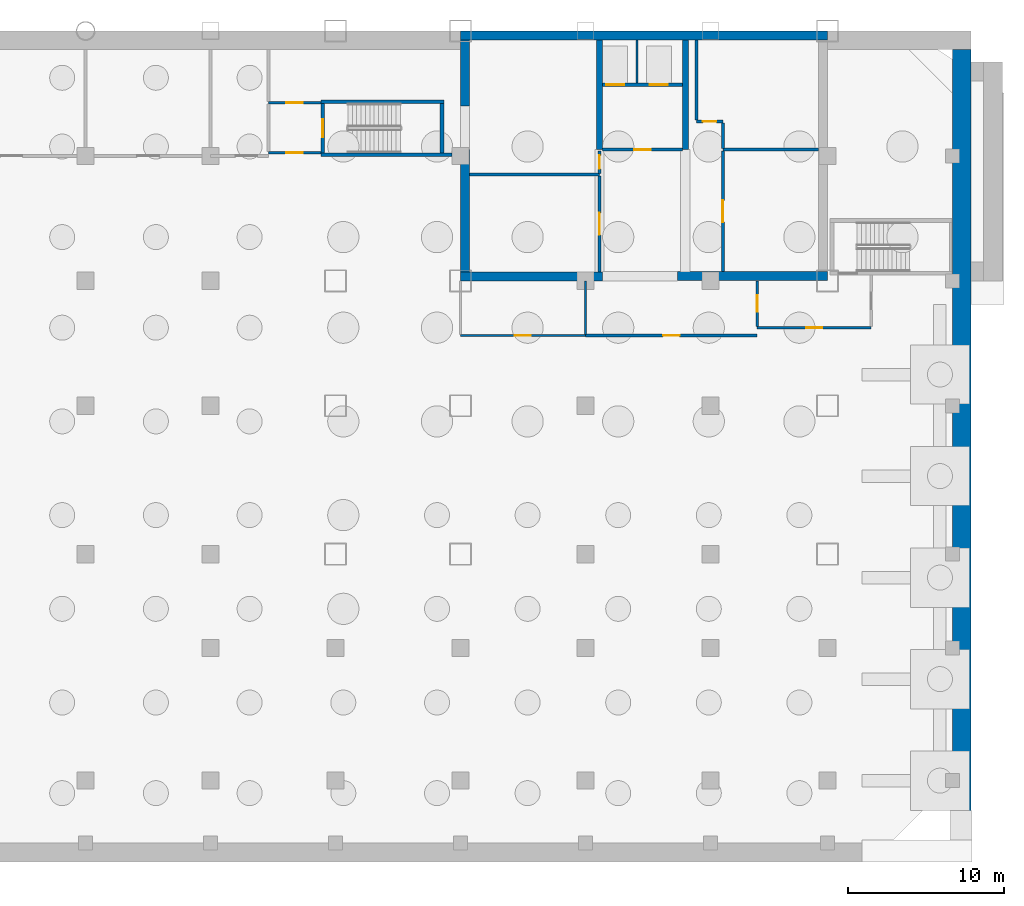
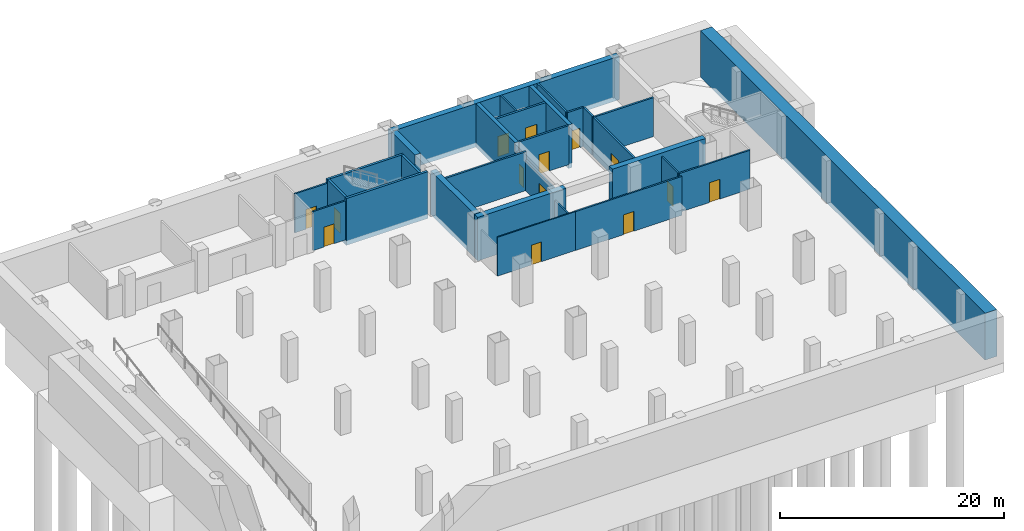
# One storey, part 3 of 8: 30 walls, 14 doors, 14 openings.
"""IFC4 building model written with IfcOpenShell, lengths in metres."""

from ifc_helpers import new_model, si_unit, direction, frame, frame_2d, origin, place, context, subcontext, project, spatial, rectangle, extrude, material, layer, layer_set, type_object, element, fill, save


model = new_model("IFC4")

# Units and contexts
model_context = context("Model", 3, precision=1e-05, world=origin(), true_north=direction((0.0, 1.0)))
body_context = subcontext(model_context, "Body", "Model", "MODEL_VIEW")
ifc_project = project(units=[si_unit("LENGTHUNIT", "METRE"), si_unit("AREAUNIT", "SQUARE_METRE"), si_unit("VOLUMEUNIT", "CUBIC_METRE"), si_unit("PLANEANGLEUNIT", "RADIAN"), si_unit("MASSUNIT", "GRAM", prefix="KILO")], contexts=[model_context])

# Site, building, storey
site_placement = place(None, origin())
site = spatial("IfcSite", under=ifc_project, at=site_placement, CompositionType="ELEMENT")
building_placement = place(site_placement, origin())
building = spatial("IfcBuilding", under=site, at=building_placement, Name="Qianrong Seaharbour Tower", CompositionType="ELEMENT")
storey_placement = place(building_placement, frame((0.0, 0.0, -13.800048828125)))
storey = spatial("IfcBuildingStorey", under=building, at=storey_placement, Name="B03", CompositionType="ELEMENT", Elevation=-13.800048828125)

# Walls
ifc_material_1 = material(Name="Concrete C70/85", Category="concrete")
ifc_layer_1 = layer(ifc_material_1, 0.580078125)
ifc_layer_set_1 = layer_set([ifc_layer_1], Name="Concrete C70/85")
wall_type_1 = type_object("IfcWallType", Name="WALL-CORE-580", PredefinedType="SHEAR", material=ifc_layer_set_1)
wall_1_placement = place(storey_placement, frame((40.5, 51.7099609375, -0.5), z_axis=(0.0, 0.0, 1.0), x_axis=(1.0, 0.0, 0.0)))
element("IfcWall", 1, at=wall_1_placement, inside=storey, type_object=wall_type_1, Name="B03 North Core Shear Wall", PredefinedType="SHEAR", context=body_context, shape_type="SweptSolid", body=[
    extrude(rectangle(XDim=23.5, YDim=0.580078125, at=frame_2d((11.75, 0.0))), origin(), (0.0, 0.0, 1.0), 4.739990234375),
])
wall_2_placement = place(storey_placement, frame((40.7900390625, 36.580078125, -0.5), z_axis=(0.0, 0.0, 1.0), x_axis=(0.0, 1.0, 0.0)))
element("IfcWall", 2, at=wall_2_placement, inside=storey, type_object=wall_type_1, Name="B03 West Core Shear Wall South", PredefinedType="SHEAR", context=body_context, shape_type="SweptSolid", body=[
    extrude(rectangle(XDim=7.81982421875, YDim=0.580078125, at=frame_2d((3.909912109375, 0.0))), origin(), (0.0, 0.0, 1.0), 4.739990234375),
])
wall_3_placement = place(storey_placement, frame((40.7900390625, 47.199951171875, -0.5), z_axis=(0.0, 0.0, 1.0), x_axis=(0.0, 1.0, 0.0)))
element("IfcWall", 3, at=wall_3_placement, inside=storey, type_object=wall_type_1, Name="B03 West Core Shear Wall North", PredefinedType="SHEAR", context=body_context, shape_type="SweptSolid", body=[
    extrude(rectangle(XDim=4.219970703125, YDim=0.580078125, at=frame_2d((2.10986328125, 0.0))), origin(), (0.0, 0.0, 1.0), 4.739990234375),
])
wall_4_placement = place(storey_placement, frame((40.5, 36.2900390625, -0.5), z_axis=(0.0, 0.0, 1.0), x_axis=(1.0, 0.0, 0.0)))
element("IfcWall", 4, at=wall_4_placement, inside=storey, type_object=wall_type_1, Name="B03 South Core Shear Wall S1", PredefinedType="SHEAR", context=body_context, shape_type="SweptSolid", body=[
    extrude(rectangle(XDim=9.10009765625, YDim=0.580078125, at=frame_2d((4.550048828125, 0.0))), origin(), (0.0, 0.0, 1.0), 4.739990234375),
])
wall_5_placement = place(storey_placement, frame((54.39990234375, 36.320068359375, -0.5), z_axis=(0.0, 0.0, 1.0), x_axis=(1.0, 0.0, 0.0)))
element("IfcWall", 5, at=wall_5_placement, inside=storey, type_object=wall_type_1, Name="B03 South Core Shear Wall S3", PredefinedType="SHEAR", context=body_context, shape_type="SweptSolid", body=[
    extrude(rectangle(XDim=9.60009765625, YDim=0.580078125, at=frame_2d((4.800048828125, 0.0))), origin(), (0.0, 0.0, 1.0), 5.10009765625),
])
ifc_material_2 = material(Name="Concrete C60/75", Category="concrete")
ifc_layer_2 = layer(ifc_material_2, 0.3798828125)
ifc_layer_set_2 = layer_set([ifc_layer_2], Name="Concrete C60/75")
wall_type_2 = type_object("IfcWallType", Name="WALL-CORE-INT-380", PredefinedType="SHEAR", material=ifc_layer_set_2)
for number, where, z_axis, x_axis, name in (
    (6, (49.39990234375, 44.39990234375, -0.5), (0.0, 0.0, 1.0), (0.0, 1.0, 0.0), "B03 Internal Core Shear Wall IW1N"),
    (7, (54.89990234375, 44.39990234375, -0.5), (0.0, 0.0, 1.0), (0.0, 1.0, 0.0), "B03 Internal Core Shear Wall IW2N"),
):
    element("IfcWall", number, at=place(storey_placement, frame(where, z_axis=z_axis, x_axis=x_axis)), inside=storey, type_object=wall_type_2, Name=name, PredefinedType="SHEAR", context=body_context, shape_type="SweptSolid", body=[
        extrude(rectangle(XDim=7.02001953125, YDim=0.3798828125, at=frame_2d((3.510009765625, 0.0))), origin(), (0.0, 0.0, 1.0), 4.739990234375),
    ])

# Wall, opening, door
ifc_material_3 = material(Name="Fire-rated acoustic gypsum board partition")
ifc_layer_3 = layer(ifc_material_3, 0.1650390625)
ifc_layer_set_3 = layer_set([ifc_layer_3], Name="Fire-rated acoustic gypsum board partition")
wall_type_3 = type_object("IfcWallType", Name="WALL-CORR-PART-165", PredefinedType="PARTITIONING", material=ifc_layer_set_3)
wall_6_placement = place(storey_placement, frame((31.56005859375, 44.199951171875, 0.0), z_axis=(0.0, 0.0, 1.0), x_axis=(-1.0, 0.0, 0.0)))
wall_6 = element("IfcWall", 8, at=wall_6_placement, inside=storey, type_object=wall_type_3, Name="B03 Interior Partition Wall 011", PredefinedType="PARTITIONING", context=body_context, shape_type="SweptSolid", body=[
    extrude(rectangle(XDim=3.360107421875, YDim=0.1650390625, at=frame_2d((1.68017578125, 0.0))), origin(), (0.0, 0.0, 1.0), 4.239990234375),
])
opening_1_placement = place(wall_6_placement, frame((1.155029296875, 0.0, 0.0)))
opening_1 = element("IfcOpeningElement", 9, at=opening_1_placement, cuts=wall_6, Name="Opening DC-01", PredefinedType="OPENING", context=body_context, shape_type="SweptSolid", body=[
    extrude(rectangle(XDim=1.050048828125, YDim=2.14990234375, at=frame_2d((0.52490234375, 1.074951171875))), frame((0.0, 0.092529296875, 0.0), z_axis=(0.0, -1.0, 0.0), x_axis=(1.0, 0.0, 0.0)), (0.0, 0.0, 1.0), 0.18505859375),
])
ifc_material_4 = material(Name="Acoustic timber and galvanized steel fire door assembly", Category="steel")
door_type_1 = type_object("IfcDoorType", Name="DOOR-CORR-FD60-1050x2150", OperationType="NOTDEFINED", PredefinedType="DOOR", material=ifc_material_4)
door_1_placement = place(opening_1_placement, origin())
door_1 = element("IfcDoor", 10, at=door_1_placement, inside=storey, type_object=door_type_1, Name="B03 Basement Stair Vestibule BST-1 Door", OperationType="SINGLE_SWING_RIGHT", OverallHeight=2.14990234375, OverallWidth=1.050048828125, PredefinedType="DOOR", context=body_context, shape_type="SweptSolid", body=[
    extrude(rectangle(XDim=1.050048828125, YDim=2.14990234375, at=frame_2d((0.52490234375, 1.074951171875))), frame((0.0, 0.02490234375, 0.0), z_axis=(0.0, -1.0, 0.0), x_axis=(1.0, 0.0, 0.0)), (0.0, 0.0, 1.0), 0.050048828125),
])
fill(opening_1, door_1)

wall_7_placement = place(storey_placement, frame((28.199951171875, 47.39990234375, 0.0), z_axis=(0.0, 0.0, 1.0), x_axis=(1.0, 0.0, 0.0)))
wall_7 = element("IfcWall", 11, at=wall_7_placement, inside=storey, type_object=wall_type_3, Name="B03 Interior Partition Wall 012", PredefinedType="PARTITIONING", context=body_context, shape_type="SweptSolid", body=[
    extrude(rectangle(XDim=3.360107421875, YDim=0.1650390625, at=frame_2d((1.68017578125, 0.0))), origin(), (0.0, 0.0, 1.0), 4.239990234375),
])
opening_2_placement = place(wall_7_placement, frame((1.155029296875, 0.0, 0.0)))
opening_2 = element("IfcOpeningElement", 12, at=opening_2_placement, cuts=wall_7, Name="Opening DC-01", PredefinedType="OPENING", context=body_context, shape_type="SweptSolid", body=[
    extrude(rectangle(XDim=1.050048828125, YDim=2.14990234375, at=frame_2d((0.52490234375, 1.074951171875))), frame((0.0, 0.092529296875, 0.0), z_axis=(0.0, -1.0, 0.0), x_axis=(1.0, 0.0, 0.0)), (0.0, 0.0, 1.0), 0.18505859375),
])
door_2_placement = place(opening_2_placement, origin())
door_2 = element("IfcDoor", 13, at=door_2_placement, inside=storey, type_object=door_type_1, Name="B03 Basement Stair Vestibule BST-1 Door", OperationType="SINGLE_SWING_LEFT", OverallHeight=2.14990234375, OverallWidth=1.050048828125, PredefinedType="DOOR", context=body_context, shape_type="SweptSolid", body=[
    extrude(rectangle(XDim=1.050048828125, YDim=2.14990234375, at=frame_2d((0.52490234375, 1.074951171875))), frame((0.0, 0.02490234375, 0.0), z_axis=(0.0, -1.0, 0.0), x_axis=(1.0, 0.0, 0.0)), (0.0, 0.0, 1.0), 0.050048828125),
])
fill(opening_2, door_2)

wall_8_placement = place(storey_placement, frame((59.5, 33.074462890625, 0.0), z_axis=(0.0, 0.0, 1.0), x_axis=(0.0, 1.0, 0.0)))
wall_8 = element("IfcWall", 14, at=wall_8_placement, inside=storey, type_object=wall_type_3, Name="B03 Interior Partition Wall 013", PredefinedType="PARTITIONING", context=body_context, shape_type="SweptSolid", body=[
    extrude(rectangle(XDim=2.925537109375, YDim=0.1650390625, at=frame_2d((1.462890625, 0.0))), origin(), (0.0, 0.0, 1.0), 4.239990234375),
])
opening_3_placement = place(wall_8_placement, frame((0.937744140625, 0.0, 0.0)))
opening_3 = element("IfcOpeningElement", 15, at=opening_3_placement, cuts=wall_8, Name="Opening DC-01", PredefinedType="OPENING", context=body_context, shape_type="SweptSolid", body=[
    extrude(rectangle(XDim=1.050048828125, YDim=2.14990234375, at=frame_2d((0.52490234375, 1.074951171875))), frame((0.0, 0.092529296875, 0.0), z_axis=(0.0, -1.0, 0.0), x_axis=(1.0, 0.0, 0.0)), (0.0, 0.0, 1.0), 0.18505859375),
])
door_3_placement = place(opening_3_placement, origin())
door_3 = element("IfcDoor", 16, at=door_3_placement, inside=storey, type_object=door_type_1, Name="B03 Basement Stair Vestibule BST-2 Door", OperationType="SINGLE_SWING_LEFT", OverallHeight=2.14990234375, OverallWidth=1.050048828125, PredefinedType="DOOR", context=body_context, shape_type="SweptSolid", body=[
    extrude(rectangle(XDim=1.050048828125, YDim=2.14990234375, at=frame_2d((0.52490234375, 1.074951171875))), frame((0.0, 0.02490234375, 0.0), z_axis=(0.0, -1.0, 0.0), x_axis=(1.0, 0.0, 0.0)), (0.0, 0.0, 1.0), 0.050048828125),
])
fill(opening_3, door_3)

wall_9_placement = place(storey_placement, frame((66.800048828125, 33.0, 0.0), z_axis=(0.0, 0.0, 1.0), x_axis=(-1.0, 0.0, 0.0)))
wall_9 = element("IfcWall", 17, at=wall_9_placement, inside=storey, type_object=wall_type_3, Name="B03 Interior Partition Wall 015", PredefinedType="PARTITIONING", context=body_context, shape_type="SweptSolid", body=[
    extrude(rectangle(XDim=7.300048828125, YDim=0.1650390625, at=frame_2d((3.64990234375, 0.0))), origin(), (0.0, 0.0, 1.0), 4.239990234375),
])
opening_4_placement = place(wall_9_placement, frame((3.125, 0.0, 0.0)))
opening_4 = element("IfcOpeningElement", 18, at=opening_4_placement, cuts=wall_9, Name="Opening DC-01", PredefinedType="OPENING", context=body_context, shape_type="SweptSolid", body=[
    extrude(rectangle(XDim=1.050048828125, YDim=2.14990234375, at=frame_2d((0.52490234375, 1.074951171875))), frame((0.0, 0.092529296875, 0.0), z_axis=(0.0, -1.0, 0.0), x_axis=(1.0, 0.0, 0.0)), (0.0, 0.0, 1.0), 0.18505859375),
])
door_4_placement = place(opening_4_placement, origin())
door_4 = element("IfcDoor", 19, at=door_4_placement, inside=storey, type_object=door_type_1, Name="B03 Basement Stair Vestibule BST-2 Door", OperationType="SINGLE_SWING_RIGHT", OverallHeight=2.14990234375, OverallWidth=1.050048828125, PredefinedType="DOOR", context=body_context, shape_type="SweptSolid", body=[
    extrude(rectangle(XDim=1.050048828125, YDim=2.14990234375, at=frame_2d((0.52490234375, 1.074951171875))), frame((0.0, 0.02490234375, 0.0), z_axis=(0.0, -1.0, 0.0), x_axis=(1.0, 0.0, 0.0)), (0.0, 0.0, 1.0), 0.050048828125),
])
fill(opening_4, door_4)

wall_10_placement = place(storey_placement, frame((59.5, 32.5, 0.0), z_axis=(0.0, 0.0, 1.0), x_axis=(-1.0, 0.0, 0.0)))
wall_10 = element("IfcWall", 20, at=wall_10_placement, inside=storey, type_object=wall_type_3, Name="B03 Interior Partition Wall 024", PredefinedType="PARTITIONING", context=body_context, shape_type="SweptSolid", body=[
    extrude(rectangle(XDim=11.0, YDim=0.1650390625, at=frame_2d((5.5, 0.0))), origin(), (0.0, 0.0, 1.0), 4.239990234375),
])
opening_5_placement = place(wall_10_placement, frame((4.97509765625, 0.0, 0.0)))
opening_5 = element("IfcOpeningElement", 21, at=opening_5_placement, cuts=wall_10, Name="Opening DC-01", PredefinedType="OPENING", context=body_context, shape_type="SweptSolid", body=[
    extrude(rectangle(XDim=1.050048828125, YDim=2.14990234375, at=frame_2d((0.52490234375, 1.074951171875))), frame((0.0, 0.092529296875, 0.0), z_axis=(0.0, -1.0, 0.0), x_axis=(1.0, 0.0, 0.0)), (0.0, 0.0, 1.0), 0.18505859375),
])
door_5_placement = place(opening_5_placement, origin())
door_5 = element("IfcDoor", 22, at=door_5_placement, inside=storey, type_object=door_type_1, Name="B03 Car Park Lift Lobby Door", OperationType="SINGLE_SWING_LEFT", OverallHeight=2.14990234375, OverallWidth=1.050048828125, PredefinedType="DOOR", context=body_context, shape_type="SweptSolid", body=[
    extrude(rectangle(XDim=1.050048828125, YDim=2.14990234375, at=frame_2d((0.52490234375, 1.074951171875))), frame((0.0, 0.02490234375, 0.0), z_axis=(0.0, -1.0, 0.0), x_axis=(1.0, 0.0, 0.0)), (0.0, 0.0, 1.0), 0.050048828125),
])
fill(opening_5, door_5)

# Wall
ifc_material_5 = material(Name="Concrete C50/60", Category="concrete")
ifc_layer_4 = layer(ifc_material_5, 1.199951171875)
ifc_layer_set_4 = layer_set([ifc_layer_4], Name="Concrete C50/60")
wall_type_4 = type_object("IfcWallType", Name="WALL-DW-1200", PredefinedType="USERDEFINED", material=ifc_layer_set_4)
wall_11_placement = place(storey_placement, frame((72.60009765625, 0.0, -0.5), z_axis=(0.0, 0.0, 1.0), x_axis=(0.0, 1.0, 0.0)))
element("IfcWall", 23, at=wall_11_placement, inside=storey, type_object=wall_type_4, Name="B03 East Diaphragm Retaining Wall", ObjectType="DIAPHRAGM WALL", PredefinedType="USERDEFINED", context=body_context, shape_type="SweptSolid", body=[
    extrude(rectangle(XDim=50.800048828125, YDim=1.199951171875, at=frame_2d((25.39990234375, 0.0))), origin(), (0.0, 0.0, 1.0), 5.10009765625),
])

# Wall, opening, door
ifc_material_6 = material(Name="Double fire-rated gypsum board acoustic partition")
ifc_layer_5 = layer(ifc_material_6, 0.18994140625)
ifc_layer_set_5 = layer_set([ifc_layer_5], Name="Double fire-rated gypsum board acoustic partition")
wall_type_5 = type_object("IfcWallType", Name="WALL-FIRE-PART-190", PredefinedType="PARTITIONING", material=ifc_layer_set_5)
wall_12_placement = place(storey_placement, frame((54.718017578125, 44.39990234375, 0.0), z_axis=(0.0, 0.0, 1.0), x_axis=(-1.0, 0.0, 0.0)))
wall_12 = element("IfcWall", 24, at=wall_12_placement, inside=storey, type_object=wall_type_5, Name="B03 Interior Partition Wall 001", PredefinedType="PARTITIONING", context=body_context, shape_type="SweptSolid", body=[
    extrude(rectangle(XDim=5.135986328125, YDim=0.18994140625, at=frame_2d((2.56787109375, 0.0))), origin(), (0.0, 0.0, 1.0), 4.239990234375),
])
opening_6_placement = place(wall_12_placement, frame((2.04296875, 0.0, 0.0)))
opening_6 = element("IfcOpeningElement", 25, at=opening_6_placement, cuts=wall_12, Name="Opening DC-01", PredefinedType="OPENING", context=body_context, shape_type="SweptSolid", body=[
    extrude(rectangle(XDim=1.050048828125, YDim=2.14990234375, at=frame_2d((0.52490234375, 1.074951171875))), frame((0.0, 0.10498046875, 0.0), z_axis=(0.0, -1.0, 0.0), x_axis=(1.0, 0.0, 0.0)), (0.0, 0.0, 1.0), 0.2099609375),
])
door_6_placement = place(opening_6_placement, origin())
door_6 = element("IfcDoor", 26, at=door_6_placement, inside=storey, type_object=door_type_1, Name="B03 Firefighting Lift Lobby Door", OperationType="SINGLE_SWING_LEFT", OverallHeight=2.14990234375, OverallWidth=1.050048828125, PredefinedType="DOOR", context=body_context, shape_type="SweptSolid", body=[
    extrude(rectangle(XDim=1.050048828125, YDim=2.14990234375, at=frame_2d((0.52490234375, 1.074951171875))), frame((0.0, 0.02490234375, 0.0), z_axis=(0.0, -1.0, 0.0), x_axis=(1.0, 0.0, 0.0)), (0.0, 0.0, 1.0), 0.050048828125),
])
fill(opening_6, door_6)

wall_13_placement = place(storey_placement, frame((49.39990234375, 36.580078125, 0.0), z_axis=(0.0, 0.0, 1.0), x_axis=(0.0, 1.0, 0.0)))
wall_13 = element("IfcWall", 27, at=wall_13_placement, inside=storey, type_object=wall_type_5, Name="B03 Interior Partition Wall 002", PredefinedType="PARTITIONING", context=body_context, shape_type="SweptSolid", body=[
    extrude(rectangle(XDim=6.1328125, YDim=0.18994140625, at=frame_2d((3.06640625, 0.0))), origin(), (0.0, 0.0, 1.0), 3.33203125),
])
opening_7_placement = place(wall_13_placement, frame((2.366455078125, 0.0, 0.0)))
opening_7 = element("IfcOpeningElement", 28, at=opening_7_placement, cuts=wall_13, Name="Opening DP-01", PredefinedType="OPENING", context=body_context, shape_type="SweptSolid", body=[
    extrude(rectangle(XDim=1.39990234375, YDim=2.25, at=frame_2d((0.699951171875, 1.125))), frame((0.0, 0.10498046875, 0.0), z_axis=(0.0, -1.0, 0.0), x_axis=(1.0, 0.0, 0.0)), (0.0, 0.0, 1.0), 0.2099609375),
])
door_type_2 = type_object("IfcDoorType", Name="DOOR-PLANT-PAIR-1400x2250", OperationType="DOUBLE_DOOR_SINGLE_SWING", PredefinedType="DOOR", material=ifc_material_4)
door_7_placement = place(opening_7_placement, origin())
door_7 = element("IfcDoor", 29, at=door_7_placement, inside=storey, type_object=door_type_2, Name="B03 Basement Core Electrical Switch Room Door", OperationType="DOUBLE_DOOR_SINGLE_SWING", OverallHeight=2.25, OverallWidth=1.39990234375, PredefinedType="DOOR", context=body_context, shape_type="SweptSolid", body=[
    extrude(rectangle(XDim=1.39990234375, YDim=2.25, at=frame_2d((0.699951171875, 1.125))), frame((0.0, 0.02490234375, 0.0), z_axis=(0.0, -1.0, 0.0), x_axis=(1.0, 0.0, 0.0)), (0.0, 0.0, 1.0), 0.050048828125),
])
fill(opening_7, door_7)

wall_14_placement = place(storey_placement, frame((49.39990234375, 42.886962890625, 0.0), z_axis=(0.0, 0.0, 1.0), x_axis=(0.0, 1.0, 0.0)))
wall_14 = element("IfcWall", 30, at=wall_14_placement, inside=storey, type_object=wall_type_5, Name="B03 Interior Partition Wall 003", PredefinedType="PARTITIONING", context=body_context, shape_type="SweptSolid", body=[
    extrude(rectangle(XDim=1.426025390625, YDim=0.18994140625, at=frame_2d((0.712890625, 0.0))), origin(), (0.0, 0.0, 1.0), 3.33203125),
])
opening_8_placement = place(wall_14_placement, frame((0.282958984375, 0.0, 0.0)))
opening_8 = element("IfcOpeningElement", 31, at=opening_8_placement, cuts=wall_14, Name="Opening DU-01", PredefinedType="OPENING", context=body_context, shape_type="SweptSolid", body=[
    extrude(rectangle(XDim=0.860107421875, YDim=2.10009765625, at=frame_2d((0.43017578125, 1.050048828125))), frame((0.0, 0.10498046875, 0.0), z_axis=(0.0, -1.0, 0.0), x_axis=(1.0, 0.0, 0.0)), (0.0, 0.0, 1.0), 0.2099609375),
])
door_type_3 = type_object("IfcDoorType", Name="DOOR-UTIL-860x2100", OperationType="NOTDEFINED", PredefinedType="DOOR", material=ifc_material_4)
door_8_placement = place(opening_8_placement, origin())
door_8 = element("IfcDoor", 32, at=door_8_placement, inside=storey, type_object=door_type_3, Name="B03 Basement Telecom Riser Room Door", OperationType="SINGLE_SWING_RIGHT", OverallHeight=2.10009765625, OverallWidth=0.860107421875, PredefinedType="DOOR", context=body_context, shape_type="SweptSolid", body=[
    extrude(rectangle(XDim=0.860107421875, YDim=2.10009765625, at=frame_2d((0.43017578125, 1.050048828125))), frame((0.0, 0.02490234375, 0.0), z_axis=(0.0, -1.0, 0.0), x_axis=(1.0, 0.0, 0.0)), (0.0, 0.0, 1.0), 0.050048828125),
])
fill(opening_8, door_8)

wall_15_placement = place(storey_placement, frame((57.300048828125, 44.31298828125, 0.0), z_axis=(0.0, 0.0, 1.0), x_axis=(0.0, -1.0, 0.0)))
wall_15 = element("IfcWall", 33, at=wall_15_placement, inside=storey, type_object=wall_type_5, Name="B03 Interior Partition Wall 004", PredefinedType="PARTITIONING", context=body_context, shape_type="SweptSolid", body=[
    extrude(rectangle(XDim=7.7109375, YDim=0.18994140625, at=frame_2d((3.85546875, 0.0))), origin(), (0.0, 0.0, 1.0), 4.239990234375),
])
opening_9_placement = place(wall_15_placement, frame((3.155517578125, 0.0, 0.0)))
opening_9 = element("IfcOpeningElement", 34, at=opening_9_placement, cuts=wall_15, Name="Opening DP-01", PredefinedType="OPENING", context=body_context, shape_type="SweptSolid", body=[
    extrude(rectangle(XDim=1.39990234375, YDim=2.25, at=frame_2d((0.699951171875, 1.125))), frame((0.0, 0.10498046875, 0.0), z_axis=(0.0, -1.0, 0.0), x_axis=(1.0, 0.0, 0.0)), (0.0, 0.0, 1.0), 0.2099609375),
])
door_9_placement = place(opening_9_placement, origin())
door_9 = element("IfcDoor", 35, at=door_9_placement, inside=storey, type_object=door_type_2, Name="B03 Sprinkler Valve and Riser Room Door", OperationType="DOUBLE_DOOR_SINGLE_SWING", OverallHeight=2.25, OverallWidth=1.39990234375, PredefinedType="DOOR", context=body_context, shape_type="SweptSolid", body=[
    extrude(rectangle(XDim=1.39990234375, YDim=2.25, at=frame_2d((0.699951171875, 1.125))), frame((0.0, 0.02490234375, 0.0), z_axis=(0.0, -1.0, 0.0), x_axis=(1.0, 0.0, 0.0)), (0.0, 0.0, 1.0), 0.050048828125),
])
fill(opening_9, door_9)

wall_16_placement = place(storey_placement, frame((55.60009765625, 46.199951171875, 0.0), z_axis=(0.0, 0.0, 1.0), x_axis=(1.0, 0.0, 0.0)))
wall_16 = element("IfcWall", 36, at=wall_16_placement, inside=storey, type_object=wall_type_5, Name="B03 Interior Partition Wall 005", PredefinedType="PARTITIONING", context=body_context, shape_type="SweptSolid", body=[
    extrude(rectangle(XDim=1.699951171875, YDim=0.18994140625, at=frame_2d((0.85009765625, 0.0))), origin(), (0.0, 0.0, 1.0), 4.239990234375),
])
opening_10_placement = place(wall_16_placement, frame((0.419921875, 0.0, 0.0)))
opening_10 = element("IfcOpeningElement", 37, at=opening_10_placement, cuts=wall_16, Name="Opening DU-01", PredefinedType="OPENING", context=body_context, shape_type="SweptSolid", body=[
    extrude(rectangle(XDim=0.860107421875, YDim=2.10009765625, at=frame_2d((0.43017578125, 1.050048828125))), frame((0.0, 0.10498046875, 0.0), z_axis=(0.0, -1.0, 0.0), x_axis=(1.0, 0.0, 0.0)), (0.0, 0.0, 1.0), 0.2099609375),
])
door_10_placement = place(opening_10_placement, origin())
door_10 = element("IfcDoor", 38, at=door_10_placement, inside=storey, type_object=door_type_3, Name="B03 Smoke Extraction Fan Room Door", OperationType="SINGLE_SWING_LEFT", OverallHeight=2.10009765625, OverallWidth=0.860107421875, PredefinedType="DOOR", context=body_context, shape_type="SweptSolid", body=[
    extrude(rectangle(XDim=0.860107421875, YDim=2.10009765625, at=frame_2d((0.43017578125, 1.050048828125))), frame((0.0, 0.02490234375, 0.0), z_axis=(0.0, -1.0, 0.0), x_axis=(1.0, 0.0, 0.0)), (0.0, 0.0, 1.0), 0.050048828125),
])
fill(opening_10, door_10)

# Walls
wall_17_placement = place(storey_placement, frame((57.300048828125, 46.113037109375, 0.0), z_axis=(0.0, 0.0, 1.0), x_axis=(0.0, -1.0, 0.0)))
element("IfcWall", 39, at=wall_17_placement, inside=storey, type_object=wall_type_5, Name="B03 Interior Partition Wall 006", PredefinedType="PARTITIONING", context=body_context, shape_type="SweptSolid", body=[
    extrude(rectangle(XDim=1.6259765625, YDim=0.18994140625, at=frame_2d((0.81298828125, 0.0))), origin(), (0.0, 0.0, 1.0), 4.239990234375),
])
wall_18_placement = place(storey_placement, frame((41.080078125, 42.800048828125, 0.0), z_axis=(0.0, 0.0, 1.0), x_axis=(1.0, 0.0, 0.0)))
element("IfcWall", 40, at=wall_18_placement, inside=storey, type_object=wall_type_5, Name="B03 Interior Partition Wall 007", PredefinedType="PARTITIONING", context=body_context, shape_type="SweptSolid", body=[
    extrude(rectangle(XDim=8.31982421875, YDim=0.18994140625, at=frame_2d((4.159912109375, 0.0))), origin(), (0.0, 0.0, 1.0), 4.239990234375),
])
wall_19_placement = place(storey_placement, frame((57.300048828125, 44.39990234375, 0.0), z_axis=(0.0, 0.0, 1.0), x_axis=(1.0, 0.0, 0.0)))
element("IfcWall", 41, at=wall_19_placement, inside=storey, type_object=wall_type_5, Name="B03 Interior Partition Wall 008", PredefinedType="PARTITIONING", context=body_context, shape_type="SweptSolid", body=[
    extrude(rectangle(XDim=6.119873046875, YDim=0.18994140625, at=frame_2d((3.06005859375, 0.0))), origin(), (0.0, 0.0, 1.0), 4.239990234375),
])
wall_20_placement = place(storey_placement, frame((55.60009765625, 46.287109375, 0.0), z_axis=(0.0, 0.0, 1.0), x_axis=(0.0, 1.0, 0.0)))
element("IfcWall", 42, at=wall_20_placement, inside=storey, type_object=wall_type_5, Name="B03 Interior Partition Wall 009", PredefinedType="PARTITIONING", context=body_context, shape_type="SweptSolid", body=[
    extrude(rectangle(XDim=5.1328125, YDim=0.18994140625, at=frame_2d((2.56640625, 0.0))), origin(), (0.0, 0.0, 1.0), 4.239990234375),
])
ifc_material_7 = material(Name="Fire-rated gypsum board on steel studs", Category="steel")
ifc_layer_6 = layer(ifc_material_7, 0.14990234375)
ifc_layer_set_6 = layer_set([ifc_layer_6], Name="Fire-rated gypsum board on steel studs")
wall_type_6 = type_object("IfcWallType", Name="WALL-SHAFT-DIV-150", PredefinedType="PARTITIONING", material=ifc_layer_set_6)
wall_21_placement = place(storey_placement, frame((51.800048828125, 48.669921875, 0.0), z_axis=(0.0, 0.0, 1.0), x_axis=(0.0, 1.0, 0.0)))
element("IfcWall", 43, at=wall_21_placement, inside=storey, type_object=wall_type_6, Name="B03 Firefighting Lift Shaft Divider Wall", PredefinedType="PARTITIONING", context=body_context, shape_type="SweptSolid", body=[
    extrude(rectangle(XDim=2.75, YDim=0.14990234375, at=frame_2d((1.375, 0.0))), origin(), (0.0, 0.0, 1.0), 4.239990234375),
])

# Wall, openings, doors
ifc_layer_7 = layer(ifc_material_7, 0.219970703125)
ifc_layer_set_7 = layer_set([ifc_layer_7], Name="Fire-rated gypsum board on steel studs")
wall_type_7 = type_object("IfcWallType", Name="WALL-SHAFT-GYP220", PredefinedType="PARTITIONING", material=ifc_layer_set_7)
wall_22_placement = place(storey_placement, frame((54.7099609375, 48.550048828125, 0.0), z_axis=(0.0, 0.0, 1.0), x_axis=(-1.0, 0.0, 0.0)))
wall_22 = element("IfcWall", 44, at=wall_22_placement, inside=storey, type_object=wall_type_7, Name="B03 Firefighting Lift Shaft Front Wall", PredefinedType="PARTITIONING", context=body_context, shape_type="SweptSolid", body=[
    extrude(rectangle(XDim=5.119873046875, YDim=0.219970703125, at=frame_2d((2.56005859375, 0.0))), origin(), (0.0, 0.0, 1.0), 4.239990234375),
])
opening_11_placement = place(wall_22_placement, frame((3.735107421875, 0.0, 0.0)))
opening_11 = element("IfcOpeningElement", 45, at=opening_11_placement, cuts=wall_22, Name="Opening LD-01", PredefinedType="OPENING", context=body_context, shape_type="SweptSolid", body=[
    extrude(rectangle(XDim=1.14990234375, YDim=2.199951171875, at=frame_2d((0.574951171875, 1.10009765625))), frame((0.0, 0.1201171875, 0.0), z_axis=(0.0, -1.0, 0.0), x_axis=(1.0, 0.0, 0.0)), (0.0, 0.0, 1.0), 0.239990234375),
])
opening_12_placement = place(wall_22_placement, frame((0.93505859375, 0.0, 0.0)))
opening_12 = element("IfcOpeningElement", 46, at=opening_12_placement, cuts=wall_22, Name="Opening LD-01", PredefinedType="OPENING", context=body_context, shape_type="SweptSolid", body=[
    extrude(rectangle(XDim=1.14990234375, YDim=2.199951171875, at=frame_2d((0.574951171875, 1.10009765625))), frame((0.0, 0.1201171875, 0.0), z_axis=(0.0, -1.0, 0.0), x_axis=(1.0, 0.0, 0.0)), (0.0, 0.0, 1.0), 0.239990234375),
])
ifc_material_8 = material(Name="Stainless steel SUS316L bi-parting lift landing door", Category="steel")
door_type_4 = type_object("IfcDoorType", Name="DOOR-LIFT-FF-1150x2200", OperationType="DOUBLE_DOOR_SLIDING", PredefinedType="DOOR", material=ifc_material_8)
door_11_placement = place(opening_11_placement, origin())
door_11 = element("IfcDoor", 47, at=door_11_placement, inside=storey, type_object=door_type_4, Name="B03 FL-1 Firefighting Lift Landing Door", OperationType="DOUBLE_DOOR_SLIDING", OverallHeight=2.199951171875, OverallWidth=1.14990234375, PredefinedType="DOOR", context=body_context, shape_type="SweptSolid", body=[
    extrude(rectangle(XDim=1.14990234375, YDim=2.199951171875, at=frame_2d((0.574951171875, 1.10009765625))), frame((0.0, 0.02490234375, 0.0), z_axis=(0.0, -1.0, 0.0), x_axis=(1.0, 0.0, 0.0)), (0.0, 0.0, 1.0), 0.050048828125),
])
fill(opening_11, door_11)
door_12_placement = place(opening_12_placement, origin())
door_12 = element("IfcDoor", 48, at=door_12_placement, inside=storey, type_object=door_type_4, Name="B03 FL-2 Firefighting Lift Landing Door", OperationType="DOUBLE_DOOR_SLIDING", OverallHeight=2.199951171875, OverallWidth=1.14990234375, PredefinedType="DOOR", context=body_context, shape_type="SweptSolid", body=[
    extrude(rectangle(XDim=1.14990234375, YDim=2.199951171875, at=frame_2d((0.574951171875, 1.10009765625))), frame((0.0, 0.02490234375, 0.0), z_axis=(0.0, -1.0, 0.0), x_axis=(1.0, 0.0, 0.0)), (0.0, 0.0, 1.0), 0.050048828125),
])
fill(opening_12, door_12)

# Walls
ifc_layer_8 = layer(ifc_material_5, 0.239990234375)
ifc_layer_set_8 = layer_set([ifc_layer_8], Name="Concrete C50/60")
wall_type_8 = type_object("IfcWallType", Name="WALL-SHAFT-RC240", PredefinedType="SOLIDWALL", material=ifc_layer_set_8)
wall_23_placement = place(storey_placement, frame((31.56005859375, 47.469970703125, -0.5), z_axis=(0.0, 0.0, 1.0), x_axis=(1.0, 0.0, 0.0)))
element("IfcWall", 49, at=wall_23_placement, inside=storey, type_object=wall_type_8, Name="B03 BST-1 Structural Stair Core Wall N", PredefinedType="SOLIDWALL", context=body_context, shape_type="SweptSolid", body=[
    extrude(rectangle(XDim=7.8798828125, YDim=0.239990234375, at=frame_2d((3.93994140625, 0.0))), origin(), (0.0, 0.0, 1.0), 5.10009765625),
])
wall_24_placement = place(storey_placement, frame((39.969970703125, 44.080078125, -0.5), z_axis=(0.0, 0.0, 1.0), x_axis=(-1.0, 0.0, 0.0)))
element("IfcWall", 50, at=wall_24_placement, inside=storey, type_object=wall_type_8, Name="B03 BST-1 Structural Stair Core Wall S", PredefinedType="SOLIDWALL", context=body_context, shape_type="SweptSolid", body=[
    extrude(rectangle(XDim=8.409912109375, YDim=0.239990234375, at=frame_2d((4.205078125, 0.0))), origin(), (0.0, 0.0, 1.0), 5.10009765625),
])

# Wall, opening, door
wall_25_placement = place(storey_placement, frame((31.679931640625, 47.35009765625, -0.5), z_axis=(0.0, 0.0, 1.0), x_axis=(0.0, -1.0, 0.0)))
wall_25 = element("IfcWall", 51, at=wall_25_placement, inside=storey, type_object=wall_type_8, Name="B03 BST-1 Structural Stair Core Wall W", PredefinedType="SOLIDWALL", context=body_context, shape_type="SweptSolid", body=[
    extrude(rectangle(XDim=3.150146484375, YDim=0.239990234375, at=frame_2d((1.5751953125, 0.0))), origin(), (0.0, 0.0, 1.0), 5.10009765625),
])
opening_13_placement = place(wall_25_placement, frame((1.0, 0.0, 0.5)))
opening_13 = element("IfcOpeningElement", 52, at=opening_13_placement, cuts=wall_25, Name="Opening SD-01", PredefinedType="OPENING", context=body_context, shape_type="SweptSolid", body=[
    extrude(rectangle(XDim=1.14990234375, YDim=2.199951171875, at=frame_2d((0.574951171875, 1.10009765625))), frame((0.0, 0.1298828125, 0.0), z_axis=(0.0, -1.0, 0.0), x_axis=(1.0, 0.0, 0.0)), (0.0, 0.0, 1.0), 0.260009765625),
])
door_type_5 = type_object("IfcDoorType", Name="DOOR-STAIR-FD60-1150x2200", OperationType="NOTDEFINED", PredefinedType="DOOR", material=ifc_material_4)
door_13_placement = place(opening_13_placement, origin())
door_13 = element("IfcDoor", 53, at=door_13_placement, inside=storey, type_object=door_type_5, Name="B03 BST-1 Protected Stair Door", OperationType="SINGLE_SWING_RIGHT", OverallHeight=2.199951171875, OverallWidth=1.14990234375, PredefinedType="DOOR", context=body_context, shape_type="SweptSolid", body=[
    extrude(rectangle(XDim=1.14990234375, YDim=2.199951171875, at=frame_2d((0.574951171875, 1.10009765625))), frame((0.0, 0.02490234375, 0.0), z_axis=(0.0, -1.0, 0.0), x_axis=(1.0, 0.0, 0.0)), (0.0, 0.0, 1.0), 0.050048828125),
])
fill(opening_13, door_13)

# Walls
wall_26_placement = place(storey_placement, frame((39.320068359375, 44.199951171875, -0.5), z_axis=(0.0, 0.0, 1.0), x_axis=(0.0, 1.0, 0.0)))
element("IfcWall", 54, at=wall_26_placement, inside=storey, type_object=wall_type_8, Name="B03 BST-1 Structural Stair Core Wall E", PredefinedType="SOLIDWALL", context=body_context, shape_type="SweptSolid", body=[
    extrude(rectangle(XDim=3.150146484375, YDim=0.239990234375, at=frame_2d((1.5751953125, 0.0))), origin(), (0.0, 0.0, 1.0), 5.10009765625),
])
ifc_material_9 = material(Name="Water-resistant cement board sanitary partition")
ifc_layer_9 = layer(ifc_material_9, 0.1298828125)
ifc_layer_set_9 = layer_set([ifc_layer_9], Name="Water-resistant cement board sanitary partition")
wall_type_9 = type_object("IfcWallType", Name="WALL-WET-PART-130", PredefinedType="PARTITIONING", material=ifc_layer_set_9)
wall_27_placement = place(storey_placement, frame((48.5, 32.574462890625, 0.0), z_axis=(0.0, 0.0, 1.0), x_axis=(0.0, 1.0, 0.0)))
element("IfcWall", 55, at=wall_27_placement, inside=storey, type_object=wall_type_9, Name="B03 Interior Partition Wall 023", PredefinedType="PARTITIONING", context=body_context, shape_type="SweptSolid", body=[
    extrude(rectangle(XDim=3.425537109375, YDim=0.1298828125, at=frame_2d((1.712890625, 0.0))), origin(), (0.0, 0.0, 1.0), 3.33203125),
])

# Wall, opening, door
wall_28_placement = place(storey_placement, frame((48.5, 32.5, 0.0), z_axis=(0.0, 0.0, 1.0), x_axis=(-1.0, 0.0, 0.0)))
wall_28 = element("IfcWall", 56, at=wall_28_placement, inside=storey, type_object=wall_type_9, Name="B03 Interior Partition Wall 025", PredefinedType="PARTITIONING", context=body_context, shape_type="SweptSolid", body=[
    extrude(rectangle(XDim=8.0, YDim=0.1298828125, at=frame_2d((4.0, 0.0))), origin(), (0.0, 0.0, 1.0), 4.239990234375),
])
opening_14_placement = place(wall_28_placement, frame((3.489990234375, 0.0, 0.0)))
opening_14 = element("IfcOpeningElement", 57, at=opening_14_placement, cuts=wall_28, Name="Opening DAW-01", PredefinedType="OPENING", context=body_context, shape_type="SweptSolid", body=[
    extrude(rectangle(XDim=1.02001953125, YDim=2.14990234375, at=frame_2d((0.510009765625, 1.074951171875))), frame((0.0, 0.074951171875, 0.0), z_axis=(0.0, -1.0, 0.0), x_axis=(1.0, 0.0, 0.0)), (0.0, 0.0, 1.0), 0.14990234375),
])
door_type_6 = type_object("IfcDoorType", Name="DOOR-AWC-SLIDE-1020x2150", OperationType="SLIDING_TO_LEFT", PredefinedType="DOOR", material=ifc_material_4)
door_14_placement = place(opening_14_placement, origin())
door_14 = element("IfcDoor", 58, at=door_14_placement, inside=storey, type_object=door_type_6, Name="B03 Basement Accessible Restroom WC Door", OperationType="SLIDING_TO_LEFT", OverallHeight=2.14990234375, OverallWidth=1.02001953125, PredefinedType="DOOR", context=body_context, shape_type="SweptSolid", body=[
    extrude(rectangle(XDim=1.02001953125, YDim=2.14990234375, at=frame_2d((0.510009765625, 1.074951171875))), frame((0.0, 0.02490234375, 0.0), z_axis=(0.0, -1.0, 0.0), x_axis=(1.0, 0.0, 0.0)), (0.0, 0.0, 1.0), 0.050048828125),
])
fill(opening_14, door_14)

save(model, "model.ifc")
